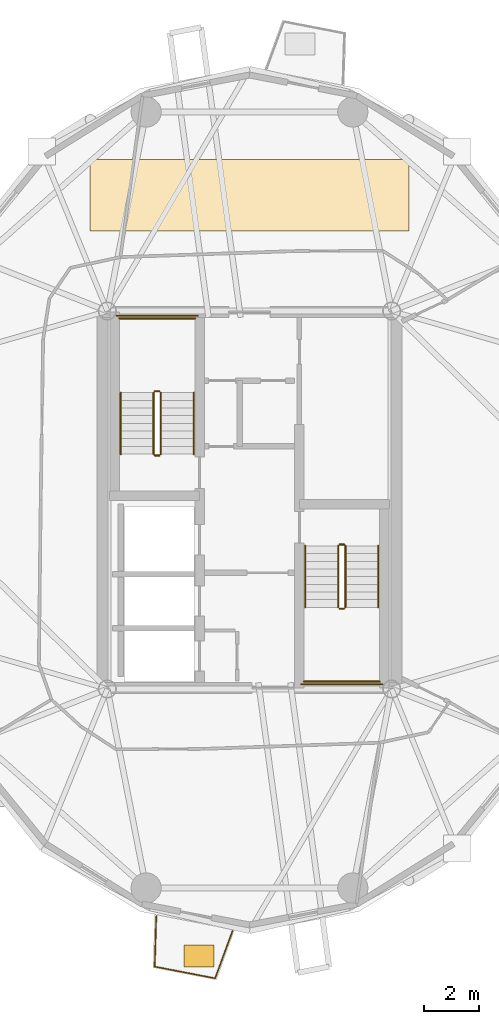
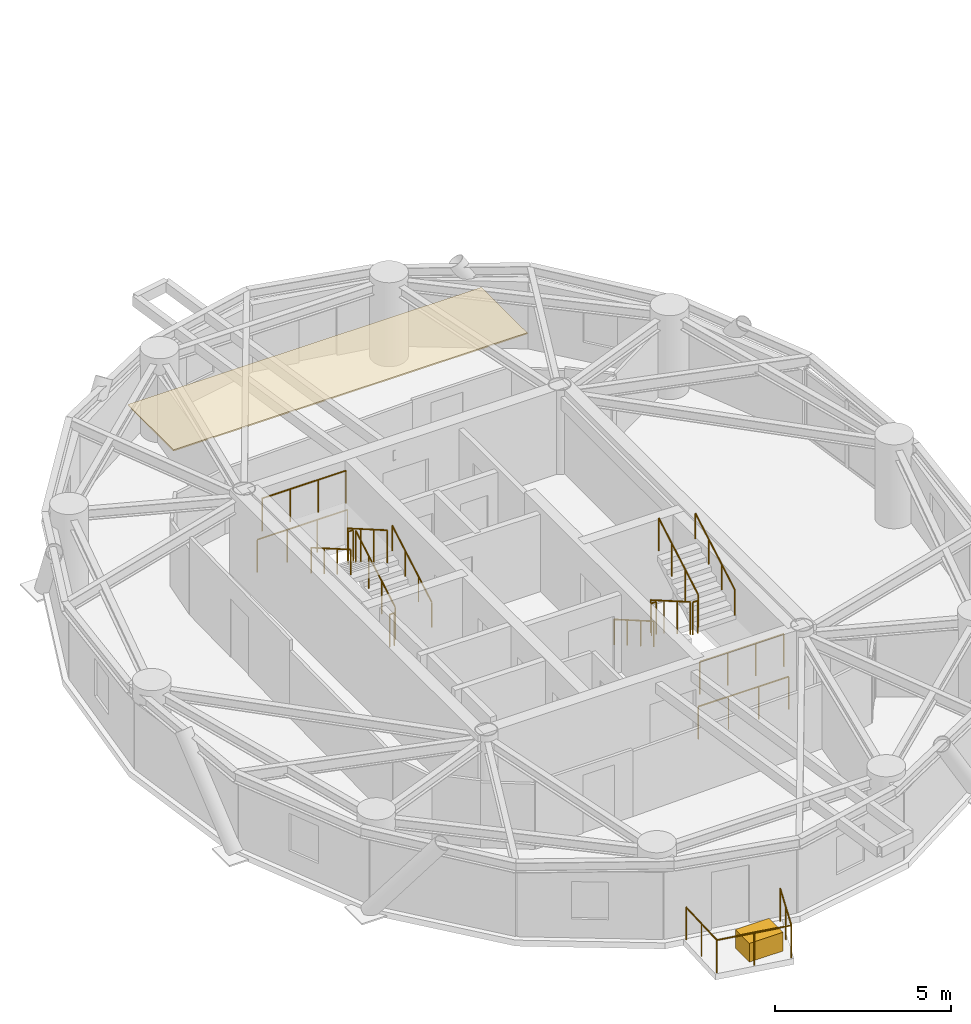
# One storey, part 14 of 16: 17 railings, 2 coverings.
"""IFC4 building model written with IfcOpenShell, lengths in metres."""

from ifc_helpers import new_model, si_unit, direction, frame, origin, origin_2d, place, context, subcontext, project, spatial, polyline, rectangle, circle, outline, extrude, source, transform, mapped, material, layer, layer_set, type_object, element, save


model = new_model("IFC4")

# Units and contexts
model_context = context("Model", 3, precision=1e-05, world=origin(), true_north=direction((0.0, 1.0)))
body_context = subcontext(model_context, "Body", "Model", "MODEL_VIEW")
ifc_project = project(units=[si_unit("LENGTHUNIT", "METRE"), si_unit("AREAUNIT", "SQUARE_METRE"), si_unit("VOLUMEUNIT", "CUBIC_METRE"), si_unit("PLANEANGLEUNIT", "RADIAN"), si_unit("MASSUNIT", "GRAM", prefix="KILO")], contexts=[model_context])

# Site, building, storey
site_placement = place(None, origin())
site = spatial("IfcSite", under=ifc_project, at=site_placement, CompositionType="ELEMENT")
building_placement = place(site_placement, origin())
building = spatial("IfcBuilding", under=site, at=building_placement, Name="Cununo Teusaquillo Station Towers", CompositionType="ELEMENT")
storey_placement = place(building_placement, frame((0.0, 0.0, 196.659912109375)))
storey = spatial("IfcBuildingStorey", under=building, at=storey_placement, Name="L62", CompositionType="ELEMENT", Elevation=196.659912109375)

# Covering
ifc_material_1 = material(Name="Mineral-fibre acoustic suspended ceiling tile", Category="finish")
ifc_layer_1 = layer(ifc_material_1, 0.044921875)
ifc_layer_set_1 = layer_set([ifc_layer_1], Name="Mineral-fibre acoustic suspended ceiling tile")
covering_type_1 = type_object("IfcCoveringType", Name="COV-CEIL-600", PredefinedType="CEILING", material=ifc_layer_set_1)
covering_1_placement = place(storey_placement, frame((0.0, 0.0, 2.655029296875)))
element("IfcCovering", 1, at=covering_1_placement, inside=storey, type_object=covering_type_1, Name="L62 Tower A Acoustic Ceiling", PredefinedType="CEILING", context=body_context, shape_type="SweptSolid", body=[
    extrude(outline(polyline([(22.300048828125, 36.89990234375), (22.300048828125, 34.300048828125), (10.699951171875, 34.300048828125), (10.699951171875, 36.89990234375), (22.300048828125, 36.89990234375)])), origin(), (0.0, 0.0, 1.0), 0.045166015625),
])

# Railings
ifc_material_2 = material(Name="Anodised dark bronze aluminium EN AW-6063-T6", Category="aluminium")
railing_type_1 = type_object("IfcRailingType", Name="RL-EXT-GUARD", PredefinedType="GUARDRAIL", material=ifc_material_2)
railing_1_placement = place(storey_placement, frame((15.884765625, 8.819580078125, 0.0)))
element("IfcRailing", 2, at=railing_1_placement, inside=storey, type_object=railing_type_1, Name="L62 Tower A Balcony Guardrail C14", PredefinedType="GUARDRAIL", context=body_context, shape_type="SweptSolid", body=[
    extrude(circle(Radius=0.02392578125, at=origin_2d()), frame((0.0, 0.0, 1.1259765625), z_axis=(-0.344196323776, -0.938897699805, 0.0), x_axis=(0.938897699805, -0.344196323776, 0.0)), (0.0, 0.0, 1.0), 1.844970703125),
    extrude(circle(Radius=0.02392578125, at=origin_2d()), frame((-0.635009765625, -1.732177734375, 1.1259765625), z_axis=(-0.981834932982, 0.18973709278, 0.0), x_axis=(-0.18973709278, -0.981834932982, 0.0)), (0.0, 0.0, 1.0), 2.239013671875),
    extrude(circle(Radius=0.02392578125, at=origin_2d()), frame((-2.833251953125, -1.307373046875, 1.1259765625), z_axis=(0.030305152758, 0.999540693377, 0.0), x_axis=(-0.999540693377, 0.030305152758, 0.0)), (0.0, 0.0, 1.0), 1.8447265625),
    extrude(circle(Radius=0.02099609375, at=origin_2d()), origin(), (0.0, 0.0, 1.0), 1.101806640625),
    extrude(circle(Radius=0.02099609375, at=origin_2d()), frame((-0.3173828125, -0.8662109375, 0.0)), (0.0, 0.0, 1.0), 1.101806640625),
    extrude(circle(Radius=0.02099609375, at=origin_2d()), frame((-0.635009765625, -1.732177734375, 0.0)), (0.0, 0.0, 1.0), 1.101806640625),
    extrude(circle(Radius=0.02099609375, at=origin_2d()), frame((-1.734130859375, -1.519775390625, 0.0)), (0.0, 0.0, 1.0), 1.101806640625),
    extrude(circle(Radius=0.02099609375, at=origin_2d()), frame((-2.833251953125, -1.307373046875, 0.0)), (0.0, 0.0, 1.0), 1.101806640625),
    extrude(circle(Radius=0.02099609375, at=origin_2d()), frame((-2.80517578125, -0.38525390625, 0.0)), (0.0, 0.0, 1.0), 1.101806640625),
    extrude(circle(Radius=0.02099609375, at=origin_2d()), frame((-2.77734375, 0.53662109375, 0.0)), (0.0, 0.0, 1.0), 1.101806640625),
])
ifc_material_3 = material(Name="Steel EN 10025-2 S355J2", Category="steel")
railing_type_2 = type_object("IfcRailingType", Name="RL-INT-GUARD", PredefinedType="GUARDRAIL", material=ifc_material_3)
railing_2_placement = place(storey_placement, frame((13.27001953125, 26.169921875, 0.161865234375)))
element("IfcRailing", 3, at=railing_2_placement, inside=storey, type_object=railing_type_2, Name="L62 ST-T1-1 stair guard 1", PredefinedType="GUARDRAIL", context=body_context, shape_type="SweptSolid", body=[
    extrude(circle(Radius=0.02392578125, at=origin_2d()), frame((0.0, 0.0, 1.1259765625), z_axis=(0.0, 0.866033117094, 0.499986639918), x_axis=(-1.0, 0.0, 0.0)), (0.0, 0.0, 1.0), 2.58642578125),
    extrude(circle(Radius=0.02099609375, at=origin_2d()), origin(), (0.0, 0.0, 1.0), 1.101806640625),
    extrude(circle(Radius=0.02099609375, at=origin_2d()), frame((0.0, 0.74658203125, 0.43115234375)), (0.0, 0.0, 1.0), 1.101806640625),
    extrude(circle(Radius=0.02099609375, at=origin_2d()), frame((0.0, 1.493408203125, 0.862060546875)), (0.0, 0.0, 1.0), 1.101806640625),
    extrude(circle(Radius=0.02099609375, at=origin_2d()), frame((0.0, 2.239990234375, 1.293212890625)), (0.0, 0.0, 1.0), 1.101806640625),
])
railing_3_placement = place(storey_placement, frame((13.219970703125, 28.4599609375, 1.455078125)))
element("IfcRailing", 4, at=railing_3_placement, inside=storey, type_object=railing_type_2, Name="L62 ST-T1-1 stair guard 2", PredefinedType="GUARDRAIL", context=body_context, shape_type="SweptSolid", body=[
    extrude(circle(Radius=0.02392578125, at=origin_2d()), frame((0.0, 0.0, 1.1259765625), z_axis=(-1.0, 0.0, 0.0), x_axis=(0.0, -1.0, 0.0)), (0.0, 0.0, 1.0), 0.159912109375),
    extrude(circle(Radius=0.02099609375, at=origin_2d()), origin(), (0.0, 0.0, 1.0), 1.101806640625),
    extrude(circle(Radius=0.02099609375, at=origin_2d()), frame((-0.159912109375, 0.0, 0.0)), (0.0, 0.0, 1.0), 1.101806640625),
])
railing_4_placement = place(storey_placement, frame((14.52001953125, 31.110107421875, 1.455078125)))
element("IfcRailing", 5, at=railing_4_placement, inside=storey, type_object=railing_type_2, Name="L62 ST-T1-1 stair guard 3", PredefinedType="GUARDRAIL", context=body_context, shape_type="SweptSolid", body=[
    extrude(circle(Radius=0.02392578125, at=origin_2d()), frame((0.0, 0.0, 1.1259765625), z_axis=(-1.0, 0.0, 0.0), x_axis=(0.0, -1.0, 0.0)), (0.0, 0.0, 1.0), 2.760009765625),
    extrude(circle(Radius=0.02099609375, at=origin_2d()), origin(), (0.0, 0.0, 1.0), 1.101806640625),
    extrude(circle(Radius=0.02099609375, at=origin_2d()), frame((-0.919921875, 0.0, 0.0)), (0.0, 0.0, 1.0), 1.101806640625),
    extrude(circle(Radius=0.02099609375, at=origin_2d()), frame((-1.840087890625, 0.0, 0.0)), (0.0, 0.0, 1.0), 1.101806640625),
    extrude(circle(Radius=0.02099609375, at=origin_2d()), frame((-2.760009765625, 0.0, 0.0)), (0.0, 0.0, 1.0), 1.101806640625),
])
railing_5_placement = place(storey_placement, frame((13.010009765625, 28.409912109375, 1.61669921875)))
element("IfcRailing", 6, at=railing_5_placement, inside=storey, type_object=railing_type_2, Name="L62 ST-T1-1 stair guard 4", PredefinedType="GUARDRAIL", context=body_context, shape_type="SweptSolid", body=[
    extrude(circle(Radius=0.02392578125, at=origin_2d()), frame((0.0, 0.0, 1.1259765625), z_axis=(0.0, -0.865992244559, 0.500057429065), x_axis=(1.0, 0.0, 0.0)), (0.0, 0.0, 1.0), 2.586669921875),
    extrude(circle(Radius=0.02099609375, at=origin_2d()), origin(), (0.0, 0.0, 1.0), 1.101806640625),
    extrude(circle(Radius=0.02099609375, at=origin_2d()), frame((0.0, -0.74658203125, 0.43115234375)), (0.0, 0.0, 1.0), 1.101806640625),
    extrude(circle(Radius=0.02099609375, at=origin_2d()), frame((0.0, -1.493408203125, 0.8623046875)), (0.0, 0.0, 1.0), 1.101806640625),
    extrude(circle(Radius=0.02099609375, at=origin_2d()), frame((0.0, -2.239990234375, 1.29345703125)), (0.0, 0.0, 1.0), 1.101806640625),
])
railing_6_placement = place(storey_placement, frame((13.219970703125, 26.1201171875, 0.0)))
element("IfcRailing", 7, at=railing_6_placement, inside=storey, type_object=railing_type_2, Name="L62 ST-T1-1 stair guard 5", PredefinedType="GUARDRAIL", context=body_context, shape_type="SweptSolid", body=[
    extrude(circle(Radius=0.02392578125, at=origin_2d()), frame((0.0, 0.0, 1.1259765625), z_axis=(-1.0, 0.0, 0.0), x_axis=(0.0, -1.0, 0.0)), (0.0, 0.0, 1.0), 0.159912109375),
    extrude(circle(Radius=0.02099609375, at=origin_2d()), origin(), (0.0, 0.0, 1.0), 1.101806640625),
    extrude(circle(Radius=0.02099609375, at=origin_2d()), frame((-0.159912109375, 0.0, 0.0)), (0.0, 0.0, 1.0), 1.101806640625),
])
railing_7_placement = place(storey_placement, frame((14.6201171875, 31.2099609375, 0.0)))
element("IfcRailing", 8, at=railing_7_placement, inside=storey, type_object=railing_type_2, Name="L62 ST-T1-1 stair guard 6", PredefinedType="GUARDRAIL", context=body_context, shape_type="SweptSolid", body=[
    extrude(circle(Radius=0.02392578125, at=origin_2d()), frame((0.0, 0.0, 1.1259765625), z_axis=(-1.0, 0.0, 0.0), x_axis=(0.0, -1.0, 0.0)), (0.0, 0.0, 1.0), 2.960205078125),
    extrude(circle(Radius=0.02099609375, at=origin_2d()), origin(), (0.0, 0.0, 1.0), 1.101806640625),
    extrude(circle(Radius=0.02099609375, at=origin_2d()), frame((-0.98681640625, 0.0, 0.0)), (0.0, 0.0, 1.0), 1.101806640625),
    extrude(circle(Radius=0.02099609375, at=origin_2d()), frame((-1.973388671875, 0.0, 0.0)), (0.0, 0.0, 1.0), 1.101806640625),
    extrude(circle(Radius=0.02099609375, at=origin_2d()), frame((-2.960205078125, 0.0, 0.0)), (0.0, 0.0, 1.0), 1.101806640625),
])
railing_8_placement = place(storey_placement, frame((19.72998046875, 22.830078125, 0.161865234375)))
element("IfcRailing", 9, at=railing_8_placement, inside=storey, type_object=railing_type_2, Name="L62 ST-T1-2 stair guard 1", PredefinedType="GUARDRAIL", context=body_context, shape_type="SweptSolid", body=[
    extrude(circle(Radius=0.02392578125, at=origin_2d()), frame((0.0, 0.0, 1.1259765625), z_axis=(0.0, -0.866033117094, 0.499986639918), x_axis=(1.0, 0.0, 0.0)), (0.0, 0.0, 1.0), 2.58642578125),
    extrude(circle(Radius=0.02099609375, at=origin_2d()), origin(), (0.0, 0.0, 1.0), 1.101806640625),
    extrude(circle(Radius=0.02099609375, at=origin_2d()), frame((0.0, -0.74658203125, 0.43115234375)), (0.0, 0.0, 1.0), 1.101806640625),
    extrude(circle(Radius=0.02099609375, at=origin_2d()), frame((0.0, -1.493408203125, 0.862060546875)), (0.0, 0.0, 1.0), 1.101806640625),
    extrude(circle(Radius=0.02099609375, at=origin_2d()), frame((0.0, -2.239990234375, 1.293212890625)), (0.0, 0.0, 1.0), 1.101806640625),
])
railing_9_placement = place(storey_placement, frame((19.780029296875, 20.5400390625, 1.455078125)))
element("IfcRailing", 10, at=railing_9_placement, inside=storey, type_object=railing_type_2, Name="L62 ST-T1-2 stair guard 2", PredefinedType="GUARDRAIL", context=body_context, shape_type="SweptSolid", body=[
    extrude(circle(Radius=0.02392578125, at=origin_2d()), frame((0.0, 0.0, 1.1259765625), z_axis=(1.0, 0.0, 0.0), x_axis=(0.0, 1.0, 0.0)), (0.0, 0.0, 1.0), 0.159912109375),
    extrude(circle(Radius=0.02099609375, at=origin_2d()), origin(), (0.0, 0.0, 1.0), 1.101806640625),
    extrude(circle(Radius=0.02099609375, at=origin_2d()), frame((0.159912109375, 0.0, 0.0)), (0.0, 0.0, 1.0), 1.101806640625),
])
railing_10_placement = place(storey_placement, frame((18.47998046875, 17.889892578125, 1.455078125)))
element("IfcRailing", 11, at=railing_10_placement, inside=storey, type_object=railing_type_2, Name="L62 ST-T1-2 stair guard 3", PredefinedType="GUARDRAIL", context=body_context, shape_type="SweptSolid", body=[
    extrude(circle(Radius=0.02392578125, at=origin_2d()), frame((0.0, 0.0, 1.1259765625), z_axis=(1.0, 0.0, 0.0), x_axis=(0.0, 1.0, 0.0)), (0.0, 0.0, 1.0), 2.760009765625),
    extrude(circle(Radius=0.02099609375, at=origin_2d()), origin(), (0.0, 0.0, 1.0), 1.101806640625),
    extrude(circle(Radius=0.02099609375, at=origin_2d()), frame((0.919921875, 0.0, 0.0)), (0.0, 0.0, 1.0), 1.101806640625),
    extrude(circle(Radius=0.02099609375, at=origin_2d()), frame((1.840087890625, 0.0, 0.0)), (0.0, 0.0, 1.0), 1.101806640625),
    extrude(circle(Radius=0.02099609375, at=origin_2d()), frame((2.760009765625, 0.0, 0.0)), (0.0, 0.0, 1.0), 1.101806640625),
])
railing_11_placement = place(storey_placement, frame((19.989990234375, 20.590087890625, 1.61669921875)))
element("IfcRailing", 12, at=railing_11_placement, inside=storey, type_object=railing_type_2, Name="L62 ST-T1-2 stair guard 4", PredefinedType="GUARDRAIL", context=body_context, shape_type="SweptSolid", body=[
    extrude(circle(Radius=0.02392578125, at=origin_2d()), frame((0.0, 0.0, 1.1259765625), z_axis=(0.0, 0.865992244559, 0.500057429065), x_axis=(-1.0, 0.0, 0.0)), (0.0, 0.0, 1.0), 2.586669921875),
    extrude(circle(Radius=0.02099609375, at=origin_2d()), origin(), (0.0, 0.0, 1.0), 1.101806640625),
    extrude(circle(Radius=0.02099609375, at=origin_2d()), frame((0.0, 0.74658203125, 0.43115234375)), (0.0, 0.0, 1.0), 1.101806640625),
    extrude(circle(Radius=0.02099609375, at=origin_2d()), frame((0.0, 1.493408203125, 0.8623046875)), (0.0, 0.0, 1.0), 1.101806640625),
    extrude(circle(Radius=0.02099609375, at=origin_2d()), frame((0.0, 2.239990234375, 1.29345703125)), (0.0, 0.0, 1.0), 1.101806640625),
])
railing_12_placement = place(storey_placement, frame((19.780029296875, 22.8798828125, 0.0)))
element("IfcRailing", 13, at=railing_12_placement, inside=storey, type_object=railing_type_2, Name="L62 ST-T1-2 stair guard 5", PredefinedType="GUARDRAIL", context=body_context, shape_type="SweptSolid", body=[
    extrude(circle(Radius=0.02392578125, at=origin_2d()), frame((0.0, 0.0, 1.1259765625), z_axis=(1.0, 0.0, 0.0), x_axis=(0.0, 1.0, 0.0)), (0.0, 0.0, 1.0), 0.159912109375),
    extrude(circle(Radius=0.02099609375, at=origin_2d()), origin(), (0.0, 0.0, 1.0), 1.101806640625),
    extrude(circle(Radius=0.02099609375, at=origin_2d()), frame((0.159912109375, 0.0, 0.0)), (0.0, 0.0, 1.0), 1.101806640625),
])
railing_13_placement = place(storey_placement, frame((18.3798828125, 17.7900390625, 0.0)))
element("IfcRailing", 14, at=railing_13_placement, inside=storey, type_object=railing_type_2, Name="L62 ST-T1-2 stair guard 6", PredefinedType="GUARDRAIL", context=body_context, shape_type="SweptSolid", body=[
    extrude(circle(Radius=0.02392578125, at=origin_2d()), frame((0.0, 0.0, 1.1259765625), z_axis=(1.0, 0.0, 0.0), x_axis=(0.0, 1.0, 0.0)), (0.0, 0.0, 1.0), 2.960205078125),
    extrude(circle(Radius=0.02099609375, at=origin_2d()), origin(), (0.0, 0.0, 1.0), 1.101806640625),
    extrude(circle(Radius=0.02099609375, at=origin_2d()), frame((0.98681640625, 0.0, 0.0)), (0.0, 0.0, 1.0), 1.101806640625),
    extrude(circle(Radius=0.02099609375, at=origin_2d()), frame((1.973388671875, 0.0, 0.0)), (0.0, 0.0, 1.0), 1.101806640625),
    extrude(circle(Radius=0.02099609375, at=origin_2d()), frame((2.960205078125, 0.0, 0.0)), (0.0, 0.0, 1.0), 1.101806640625),
])
ifc_material_4 = material(Name="Steel EN 10025-2 S355J2", Category="steel")
railing_type_3 = type_object("IfcRailingType", Name="RL-INT-HRAIL", PredefinedType="HANDRAIL", material=ifc_material_4)
railing_14_placement = place(storey_placement, frame((14.469970703125, 26.169921875, 0.161865234375)))
element("IfcRailing", 15, at=railing_14_placement, inside=storey, type_object=railing_type_3, Name="L62 ST-T1-1 stair handrail 1", PredefinedType="HANDRAIL", context=body_context, shape_type="SweptSolid", body=[
    extrude(circle(Radius=0.02392578125, at=origin_2d()), frame((0.0, 0.0, 0.8759765625), z_axis=(0.0, 0.866033117094, 0.499986639918), x_axis=(-1.0, 0.0, 0.0)), (0.0, 0.0, 1.0), 2.58642578125),
    extrude(circle(Radius=0.02099609375, at=origin_2d()), origin(), (0.0, 0.0, 1.0), 0.851806640625),
    extrude(circle(Radius=0.02099609375, at=origin_2d()), frame((0.0, 0.74658203125, 0.43115234375)), (0.0, 0.0, 1.0), 0.851806640625),
    extrude(circle(Radius=0.02099609375, at=origin_2d()), frame((0.0, 1.493408203125, 0.862060546875)), (0.0, 0.0, 1.0), 0.851806640625),
    extrude(circle(Radius=0.02099609375, at=origin_2d()), frame((0.0, 2.239990234375, 1.293212890625)), (0.0, 0.0, 1.0), 0.851806640625),
])
railing_15_placement = place(storey_placement, frame((11.81005859375, 28.409912109375, 1.61669921875)))
element("IfcRailing", 16, at=railing_15_placement, inside=storey, type_object=railing_type_3, Name="L62 ST-T1-1 stair handrail 2", PredefinedType="HANDRAIL", context=body_context, shape_type="SweptSolid", body=[
    extrude(circle(Radius=0.02392578125, at=origin_2d()), frame((0.0, 0.0, 0.8759765625), z_axis=(0.0, -0.865992244559, 0.500057429065), x_axis=(1.0, 0.0, 0.0)), (0.0, 0.0, 1.0), 2.586669921875),
    extrude(circle(Radius=0.02099609375, at=origin_2d()), origin(), (0.0, 0.0, 1.0), 0.851806640625),
    extrude(circle(Radius=0.02099609375, at=origin_2d()), frame((0.0, -0.74658203125, 0.43115234375)), (0.0, 0.0, 1.0), 0.851806640625),
    extrude(circle(Radius=0.02099609375, at=origin_2d()), frame((0.0, -1.493408203125, 0.8623046875)), (0.0, 0.0, 1.0), 0.851806640625),
    extrude(circle(Radius=0.02099609375, at=origin_2d()), frame((0.0, -2.239990234375, 1.29345703125)), (0.0, 0.0, 1.0), 0.851806640625),
])
railing_16_placement = place(storey_placement, frame((18.530029296875, 22.830078125, 0.161865234375)))
element("IfcRailing", 17, at=railing_16_placement, inside=storey, type_object=railing_type_3, Name="L62 ST-T1-2 stair handrail 1", PredefinedType="HANDRAIL", context=body_context, shape_type="SweptSolid", body=[
    extrude(circle(Radius=0.02392578125, at=origin_2d()), frame((0.0, 0.0, 0.8759765625), z_axis=(0.0, -0.866033117094, 0.499986639918), x_axis=(1.0, 0.0, 0.0)), (0.0, 0.0, 1.0), 2.58642578125),
    extrude(circle(Radius=0.02099609375, at=origin_2d()), origin(), (0.0, 0.0, 1.0), 0.851806640625),
    extrude(circle(Radius=0.02099609375, at=origin_2d()), frame((0.0, -0.74658203125, 0.43115234375)), (0.0, 0.0, 1.0), 0.851806640625),
    extrude(circle(Radius=0.02099609375, at=origin_2d()), frame((0.0, -1.493408203125, 0.862060546875)), (0.0, 0.0, 1.0), 0.851806640625),
    extrude(circle(Radius=0.02099609375, at=origin_2d()), frame((0.0, -2.239990234375, 1.293212890625)), (0.0, 0.0, 1.0), 0.851806640625),
])
railing_17_placement = place(storey_placement, frame((21.18994140625, 20.590087890625, 1.61669921875)))
element("IfcRailing", 18, at=railing_17_placement, inside=storey, type_object=railing_type_3, Name="L62 ST-T1-2 stair handrail 2", PredefinedType="HANDRAIL", context=body_context, shape_type="SweptSolid", body=[
    extrude(circle(Radius=0.02392578125, at=origin_2d()), frame((0.0, 0.0, 0.8759765625), z_axis=(0.0, 0.865992244559, 0.500057429065), x_axis=(-1.0, 0.0, 0.0)), (0.0, 0.0, 1.0), 2.586669921875),
    extrude(circle(Radius=0.02099609375, at=origin_2d()), origin(), (0.0, 0.0, 1.0), 0.851806640625),
    extrude(circle(Radius=0.02099609375, at=origin_2d()), frame((0.0, 0.74658203125, 0.43115234375)), (0.0, 0.0, 1.0), 0.851806640625),
    extrude(circle(Radius=0.02099609375, at=origin_2d()), frame((0.0, 1.493408203125, 0.8623046875)), (0.0, 0.0, 1.0), 0.851806640625),
    extrude(circle(Radius=0.02099609375, at=origin_2d()), frame((0.0, 2.239990234375, 1.29345703125)), (0.0, 0.0, 1.0), 0.851806640625),
])

# Covering
ifc_material_5 = material(Name="Architectural GRC planter shell and engineered root-zone substrate", Category="concrete")
ifc_layer_2 = layer(ifc_material_5, 0.64990234375)
ifc_layer_set_2 = layer_set([ifc_layer_2], Name="Architectural GRC planter shell and engineered root-zone substrate")
covering_type_2 = type_object("IfcCoveringType", Name="COV-TREE-PLANTER", PredefinedType="CLADDING", material=ifc_layer_set_2)
shared_shape = source(origin(), body_context, "Body", "SweptSolid", [
    extrude(rectangle(XDim=1.10009765625, YDim=0.800048828125, at=origin_2d()), origin(), (0.0, 0.0, 1.0), 0.64990234375),
])
covering_2_placement = place(storey_placement, frame((14.658203125, 7.897216796875, 0.000244140625), z_axis=(0.0, 0.0, 1.0), x_axis=(1.0, 0.0, 0.0)))
element("IfcCovering", 19, at=covering_2_placement, inside=storey, type_object=covering_type_2, Name="L62 Tower A Balcony Tree PLANTER C14", PredefinedType="CLADDING", context=body_context, shape_type="MappedRepresentation", body=[
    mapped(shared_shape, transform((0.0, 0.0, 0.0), x_axis=(1.0, 0.0, 0.0), y_axis=(0.0, 1.0, 0.0), z_axis=(0.0, 0.0, 1.0), scale=1.0)),
])

save(model, "model.ifc")
